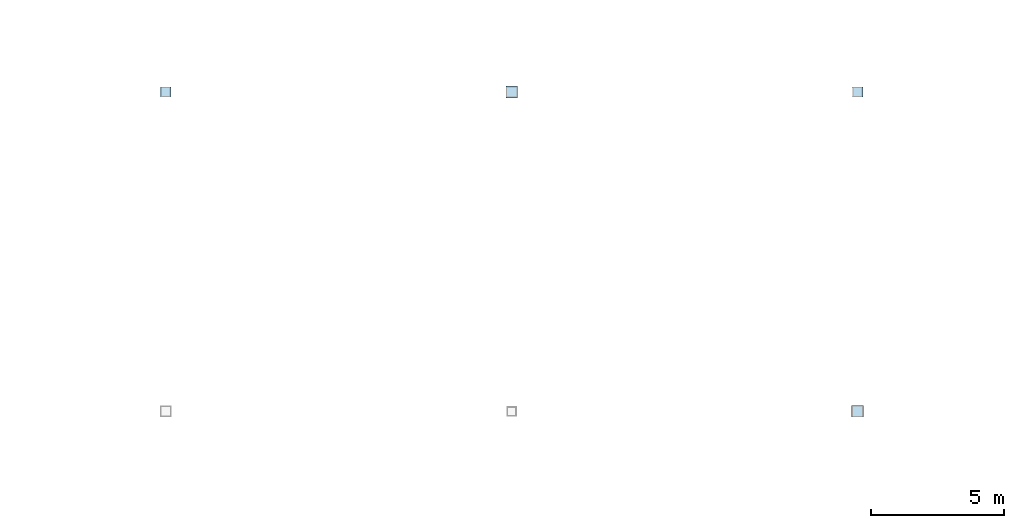
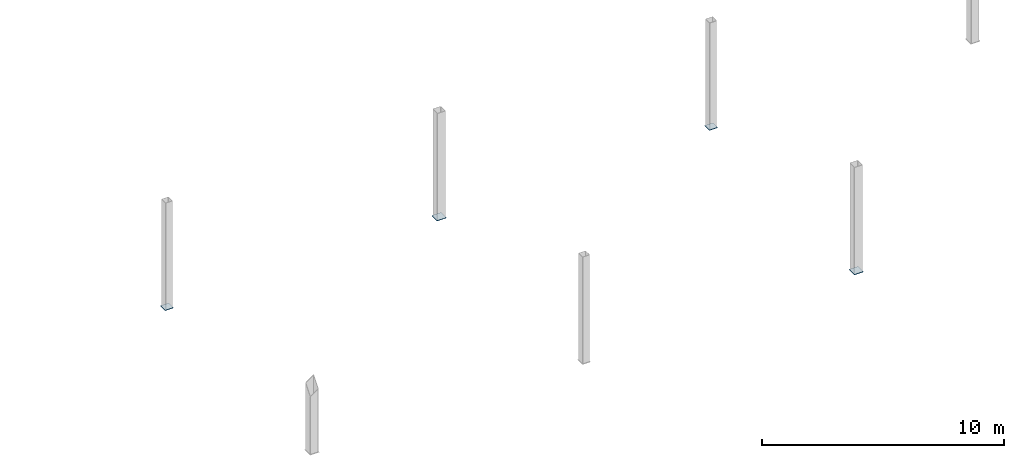
# One storey, part 53 of 76: 4 plates.
"""IFC4 building model written with IfcOpenShell, lengths in metres."""

from ifc_helpers import new_model, si_unit, direction, frame, origin, origin_2d, place, context, subcontext, project, spatial, rectangle, extrude, material, layer, layer_set, type_object, element, save


model = new_model("IFC4")

# Units and contexts
model_context = context("Model", 3, precision=1e-05, world=origin(), true_north=direction((0.0, 1.0)))
body_context = subcontext(model_context, "Body", "Model", "MODEL_VIEW")
ifc_project = project(units=[si_unit("LENGTHUNIT", "METRE"), si_unit("AREAUNIT", "SQUARE_METRE"), si_unit("VOLUMEUNIT", "CUBIC_METRE"), si_unit("PLANEANGLEUNIT", "RADIAN"), si_unit("MASSUNIT", "GRAM", prefix="KILO")], contexts=[model_context])

# Site, building, storey
site_placement = place(None, origin())
site = spatial("IfcSite", under=ifc_project, at=site_placement, CompositionType="ELEMENT")
building_placement = place(site_placement, origin())
building = spatial("IfcBuilding", under=site, at=building_placement, Name="Kazenohara Klinker Stadium", CompositionType="ELEMENT")
storey_placement = place(building_placement, frame((0.0, 0.0, 25.800048828125)))
storey = spatial("IfcBuildingStorey", under=building, at=storey_placement, Name="L05", CompositionType="ELEMENT", Elevation=25.800048828125)

# Plates
ifc_material = material(Name="Steel S355", Category="steel")
ifc_layer_1 = layer(ifc_material, 0.02001953125)
ifc_layer_set_1 = layer_set([ifc_layer_1], Name="Steel S355")
plate_type_1 = type_object("IfcPlateType", Name="PLT-GP01", PredefinedType="USERDEFINED", material=ifc_layer_set_1)
plate_1_placement = place(storey_placement, frame((112.0, 36.0, -0.010009765625), z_axis=(0.0, 0.0, 1.0), x_axis=(1.0, 0.0, 0.0)))
element("IfcPlate", 1, at=plate_1_placement, inside=storey, type_object=plate_type_1, Name="Hollow column end-cap plate GP01 L05 10/D", ObjectType="GUSSET PLATE", PredefinedType="USERDEFINED", context=body_context, shape_type="SweptSolid", body=[
    extrude(rectangle(XDim=0.43994140625, YDim=0.43994140625, at=origin_2d()), origin(), (0.0, 0.0, 1.0), 0.02001953125),
])
ifc_layer_2 = layer(ifc_material, 0.02197265625)
ifc_layer_set_2 = layer_set([ifc_layer_2], Name="Steel S355")
plate_type_2 = type_object("IfcPlateType", Name="PLT-GP02", PredefinedType="USERDEFINED", material=ifc_layer_set_2)
plate_2_placement = place(storey_placement, frame((99.0, 36.0, -0.010986328125), z_axis=(0.0, 0.0, 1.0), x_axis=(1.0, 0.0, 0.0)))
element("IfcPlate", 2, at=plate_2_placement, inside=storey, type_object=plate_type_2, Name="Hollow column end-cap plate GP02 L05 9/D", ObjectType="GUSSET PLATE", PredefinedType="USERDEFINED", context=body_context, shape_type="SweptSolid", body=[
    extrude(rectangle(XDim=0.389892578125, YDim=0.389892578125, at=origin_2d()), origin(), (0.0, 0.0, 1.0), 0.02197265625),
])
ifc_layer_3 = layer(ifc_material, 0.02392578125)
ifc_layer_set_3 = layer_set([ifc_layer_3], Name="Steel S355")
plate_type_3 = type_object("IfcPlateType", Name="PLT-GP03", PredefinedType="USERDEFINED", material=ifc_layer_set_3)
plate_3_placement = place(storey_placement, frame((125.0, 36.0, -0.011962890625), z_axis=(0.0, 0.0, 1.0), x_axis=(1.0, 0.0, 0.0)))
element("IfcPlate", 3, at=plate_3_placement, inside=storey, type_object=plate_type_3, Name="Hollow column end-cap plate GP03 L05 11/D", ObjectType="GUSSET PLATE", PredefinedType="USERDEFINED", context=body_context, shape_type="SweptSolid", body=[
    extrude(rectangle(XDim=0.389892578125, YDim=0.389892578125, at=origin_2d()), origin(), (0.0, 0.0, 1.0), 0.02392578125),
])
ifc_layer_4 = layer(ifc_material, 0.02490234375)
ifc_layer_set_4 = layer_set([ifc_layer_4], Name="Steel S355")
plate_type_4 = type_object("IfcPlateType", Name="PLT-GP04", PredefinedType="USERDEFINED", material=ifc_layer_set_4)
plate_4_placement = place(storey_placement, frame((125.0, 24.0, -0.012451171875), z_axis=(0.0, 0.0, 1.0), x_axis=(1.0, 0.0, 0.0)))
element("IfcPlate", 4, at=plate_4_placement, inside=storey, type_object=plate_type_4, Name="Hollow column end-cap plate GP04 L05 11/C", ObjectType="GUSSET PLATE", PredefinedType="USERDEFINED", context=body_context, shape_type="SweptSolid", body=[
    extrude(rectangle(XDim=0.43994140625, YDim=0.43994140625, at=origin_2d()), origin(), (0.0, 0.0, 1.0), 0.02490234375),
])

save(model, "model.ifc")
